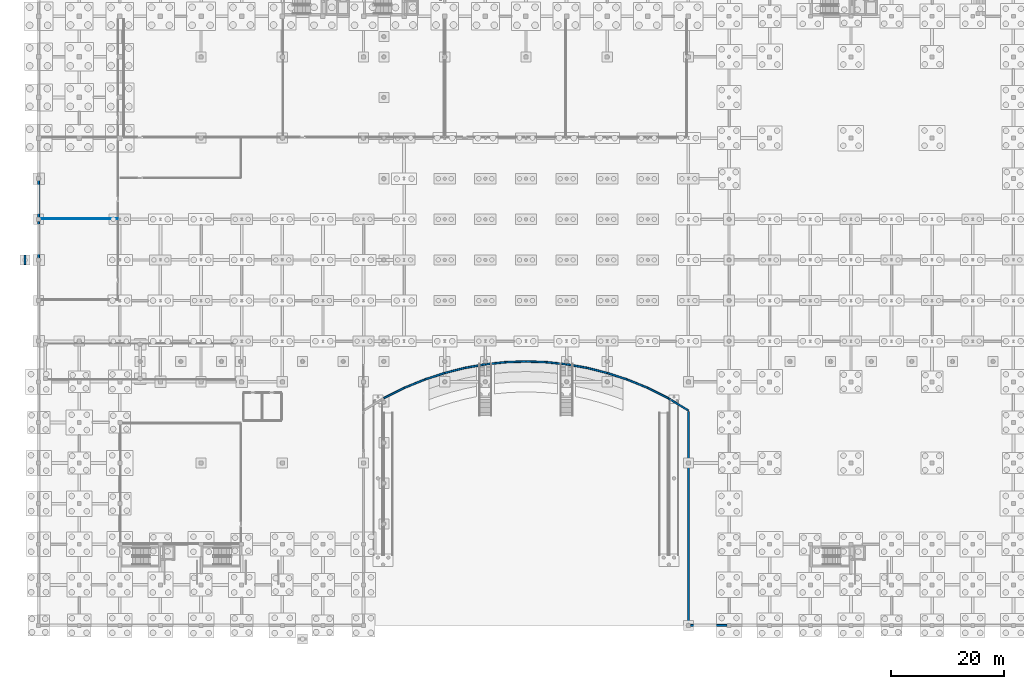
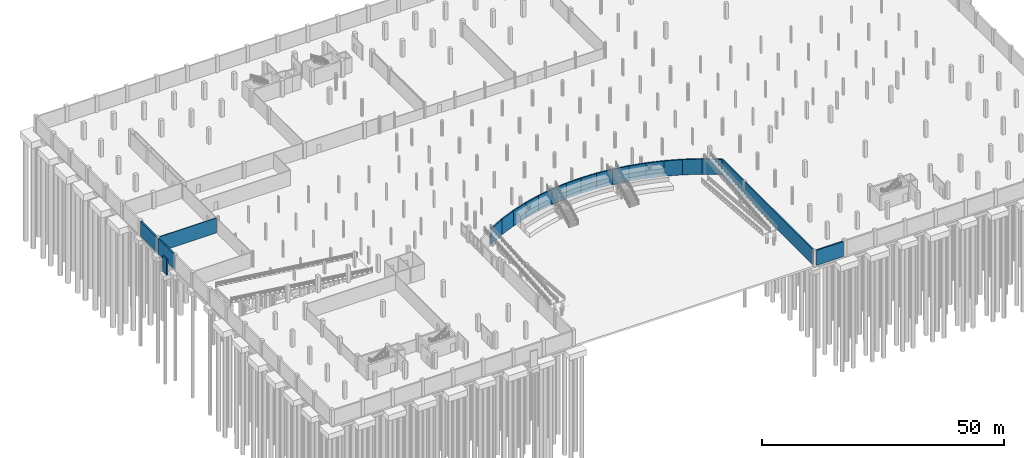
# One storey, part 41 of 56: 21 walls.
"""IFC4 building model written with IfcOpenShell, lengths in metres."""

import ifcopenshell
import ifcopenshell.guid

model = None  # the IFC model being written
_history = None  # IfcOwnerHistory: only IFC2X3 demands one
_inside = {}  # id of a spatial element -> (the spatial element, [elements in it])
_under = {}  # id of a project, library or spatial element -> (it, [spatial elements below it])
_declared = {}  # id of a project -> (the project, [libraries it declares])
_typed = {}  # id of a type object -> (the type object, [elements of that type])
_made_of = {}  # id of a material, layer set ... -> (it, [elements and type objects made of it])


def new_model(schema):
    """Start an empty IFC model of exactly this schema.

    Asked for "IFC4X3", IfcOpenShell would pick the latest addendum, in which some entities
    have other attributes; the version numbers below select the first issue.
    IFC2X3 requires an IfcOwnerHistory on every rooted entity: one is made here for all.
    """
    global model, _history
    if schema == "IFC4X3":
        model = ifcopenshell.file(schema_version=(4, 3, 0, 0))
    else:
        model = ifcopenshell.file(schema=schema)
    _inside.clear()
    _under.clear()
    _declared.clear()
    _typed.clear()
    _made_of.clear()
    _history = None
    if model.schema == "IFC2X3":
        org = make("IfcOrganization", Name="unknown")
        user = make(
            "IfcPersonAndOrganization",
            ThePerson=make("IfcPerson", FamilyName="unknown"),
            TheOrganization=org,
        )
        app = make(
            "IfcApplication",
            ApplicationDeveloper=org,
            Version="unknown",
            ApplicationFullName="unknown",
            ApplicationIdentifier="unknown",
        )
        _history = make(
            "IfcOwnerHistory",
            OwningUser=user,
            OwningApplication=app,
            ChangeAction="ADDED",
            CreationDate=0,
        )
    return model


def make(cls, **values):
    """One entity of the class cls with the attributes given. An attribute that is None is left unset."""
    return model.create_entity(
        cls, **{name: value for name, value in values.items() if value is not None}
    )


def rooted(cls, **values):
    """An entity with a GlobalId (a new one), such as an element, a storey or a relation."""
    return make(cls, GlobalId=ifcopenshell.guid.new(), OwnerHistory=_history, **values)


def si_unit(unit_type, name, prefix=None):
    """IfcSIUnit, for example si_unit("LENGTHUNIT", "METRE", prefix="MILLI")."""
    return make("IfcSIUnit", UnitType=unit_type, Prefix=prefix, Name=name)


def assignment(units):
    """IfcUnitAssignment: the units of a project."""
    return None if units is None else make("IfcUnitAssignment", Units=units)


def point(xyz):
    """IfcCartesianPoint."""
    return None if xyz is None else make("IfcCartesianPoint", Coordinates=xyz)


def direction(xyz):
    """IfcDirection."""
    return None if xyz is None else make("IfcDirection", DirectionRatios=xyz)


def frame(location, z_axis=None, x_axis=None):
    """IfcAxis2Placement3D, a coordinate frame: its origin and axes. An axis left out is left unset."""
    return make(
        "IfcAxis2Placement3D",
        Location=point(location),
        Axis=direction(z_axis),
        RefDirection=direction(x_axis),
    )


def frame_2d(location, x_axis=None):
    """IfcAxis2Placement2D, a coordinate frame in the plane: its origin and x axis."""
    return make(
        "IfcAxis2Placement2D", Location=point(location), RefDirection=direction(x_axis)
    )


def origin():
    """The frame at (0, 0, 0) with its axes left unset."""
    return frame((0.0, 0.0, 0.0))


def place(relative_to, where):
    """IfcLocalPlacement: puts the frame where relative to a parent placement (None: the world)."""
    return make(
        "IfcLocalPlacement", PlacementRelTo=relative_to, RelativePlacement=where
    )


def context(
    kind, dimensions, precision=None, world=None, true_north=None, identifier=None
):
    """IfcGeometricRepresentationContext, for example the 3D "Model" context."""
    return make(
        "IfcGeometricRepresentationContext",
        ContextIdentifier=identifier,
        ContextType=kind,
        CoordinateSpaceDimension=dimensions,
        Precision=precision,
        WorldCoordinateSystem=world,
        TrueNorth=true_north,
    )


def subcontext(parent, identifier, kind, view, scale=None):
    """IfcGeometricRepresentationSubContext, for example "Body" below "Model"."""
    return make(
        "IfcGeometricRepresentationSubContext",
        ContextIdentifier=identifier,
        ContextType=kind,
        ParentContext=parent,
        TargetScale=scale,
        TargetView=view,
    )


def project(units=None, contexts=None):
    """IfcProject with its units and contexts."""
    return rooted(
        "IfcProject",
        Name="project",
        RepresentationContexts=contexts,
        UnitsInContext=assignment(units),
    )


def spatial(cls, under=None, at=None, **own):
    """A site, building, storey or space (cls), placed at a placement, below another one or the project."""
    s = rooted(cls, ObjectPlacement=at, **own)
    if under is not None:
        _under.setdefault(under.id(), (under, []))[1].append(s)
    return s


def profile(cls, at=None, kind="AREA", **sizes):
    """A parametric profile (cls). Its sizes go by their IFC names, for example OverallWidth=200.0."""
    return make(cls, ProfileType=kind, Position=at, **sizes)


def rectangle(**sizes):
    """IfcRectangleProfileDef."""
    return profile("IfcRectangleProfileDef", **sizes)


def extrude(swept, where, along, depth):
    """IfcExtrudedAreaSolid: the profile swept, set in the frame where, extruded along a direction by depth."""
    return make(
        "IfcExtrudedAreaSolid",
        SweptArea=swept,
        Position=where,
        ExtrudedDirection=direction(along),
        Depth=depth,
    )


def shape(context_of_items, identifier, shape_type, items):
    """IfcShapeRepresentation: the items that make up one representation, for example the "Body"."""
    return make(
        "IfcShapeRepresentation",
        ContextOfItems=context_of_items,
        RepresentationIdentifier=identifier,
        RepresentationType=shape_type,
        Items=items,
    )


def material(Name=None, Category=None):
    """IfcMaterial."""
    return make("IfcMaterial", Name=Name, Category=Category)


def layer(
    of_material, thickness, ventilated=None, Name=None, Category=None, Priority=None
):
    """IfcMaterialLayer: one layer of a wall or slab, of a material (None: an air gap)."""
    return make(
        "IfcMaterialLayer",
        Material=of_material,
        LayerThickness=thickness,
        IsVentilated=ventilated,
        Name=Name,
        Category=Category,
        Priority=Priority,
    )


def layer_set(layers, Name=None):
    """IfcMaterialLayerSet."""
    return make("IfcMaterialLayerSet", MaterialLayers=layers, LayerSetName=Name)


def made_of(thing, what):
    """Note that an element or type object is made of a material, layer set ...; save() writes the relation."""
    if what is not None:
        _made_of.setdefault(what.id(), (what, []))[1].append(thing)
    return thing


def type_object(cls, material=None, **own):
    """A type object (cls), such as IfcWallType, which elements share."""
    return made_of(rooted(cls, **own), material)


def element(
    cls,
    number,
    at=None,
    inside=None,
    cuts=None,
    type_object=None,
    material=None,
    context=None,
    identifier="Body",
    shape_type=None,
    held_by="IfcProductDefinitionShape",
    body=None,
    shapes=None,
    **own,
):
    """One element of the class cls, such as IfcWall. Its Tag is "e" and its number.

    at: its placement. inside: the storey or other place that contains it. cuts: it is an
    opening in that element (IfcRelVoidsElement). A single representation is given by context,
    identifier, shape_type and body (its items); several are given by shapes. held_by: the class
    of the entity that holds the representations. save() writes the other relations.
    """
    e = rooted(cls, Tag="e%d" % number, ObjectPlacement=at, **own)
    if body is not None:
        shapes = [shape(context, identifier, shape_type, body)]
    if shapes is not None:
        e.Representation = make(held_by, Representations=shapes)
    if inside is not None:
        _inside.setdefault(inside.id(), (inside, []))[1].append(e)
    if cuts is not None:
        rooted(
            "IfcRelVoidsElement", RelatingBuildingElement=cuts, RelatedOpeningElement=e
        )
    if type_object is not None:
        _typed.setdefault(type_object.id(), (type_object, []))[1].append(e)
    return made_of(e, material)


def aggregate(whole, parts):
    """IfcRelAggregates: a whole, such as a stair, and the parts it consists of."""
    return rooted("IfcRelAggregates", RelatingObject=whole, RelatedObjects=parts)


def save(model, path):
    """Write the relations noted so far, then the file.

    IfcRelAggregates (storeys below a building ...), IfcRelContainedInSpatialStructure (elements
    in a storey), IfcRelDefinesByType, IfcRelAssociatesMaterial and IfcRelDeclares: one each for
    every whole, place, type object, material and project.
    """
    for whole, parts in _under.values():
        aggregate(whole, parts)
    for where, things in _inside.values():
        rooted(
            "IfcRelContainedInSpatialStructure",
            RelatedElements=things,
            RelatingStructure=where,
        )
    for kind, things in _typed.values():
        rooted("IfcRelDefinesByType", RelatedObjects=things, RelatingType=kind)
    for what, things in _made_of.values():
        rooted("IfcRelAssociatesMaterial", RelatedObjects=things, RelatingMaterial=what)
    for by, libraries in _declared.values():
        rooted("IfcRelDeclares", RelatingContext=by, RelatedDefinitions=libraries)
    model.write(path)


model = new_model("IFC4")

# Units and contexts
model_context = context("Model", 3, precision=1e-05, world=origin(), true_north=direction((0.0, 1.0)))
body_context = subcontext(model_context, "Body", "Model", "MODEL_VIEW")
ifc_project = project(units=[si_unit("LENGTHUNIT", "METRE"), si_unit("AREAUNIT", "SQUARE_METRE"), si_unit("VOLUMEUNIT", "CUBIC_METRE"), si_unit("PLANEANGLEUNIT", "RADIAN"), si_unit("MASSUNIT", "GRAM", prefix="KILO")], contexts=[model_context])

# Site, building, storey
site_placement = place(None, origin())
site = spatial("IfcSite", under=ifc_project, at=site_placement, CompositionType="ELEMENT")
building_placement = place(site_placement, origin())
building = spatial("IfcBuilding", under=site, at=building_placement, Name="Suanplinth Sawtooth Commons", CompositionType="ELEMENT")
storey_placement = place(building_placement, frame((0.0, 0.0, -4.199951171875)))
storey = spatial("IfcBuildingStorey", under=building, at=storey_placement, Name="B1", CompositionType="ELEMENT", Elevation=-4.199951171875)

# Walls
ifc_material_1 = material(Name="Precast concrete C40/50", Category="concrete")
ifc_layer_1 = layer(ifc_material_1, 0.159912109375, Name="Fire-rated corridor and lobby wall 160mm")
ifc_layer_set_1 = layer_set([ifc_layer_1], Name="Precast concrete C40/50")
wall_type_1 = type_object("IfcWallType", Name="W-FW01", PredefinedType="PARTITIONING", material=ifc_layer_set_1)
wall_1_placement = place(storey_placement, frame((0.39990234375, 72.1201171875, 0.0), z_axis=(0.0, 0.0, 1.0), x_axis=(1.0, 0.0, 0.0)))
element("IfcWall", 1, at=wall_1_placement, inside=storey, type_object=wall_type_1, Name="W-B1-REFU-S", PredefinedType="PARTITIONING", context=body_context, shape_type="SweptSolid", body=[
    extrude(rectangle(XDim=13.60009765625, YDim=0.159912109375, at=frame_2d((6.800048828125, 0.0))), origin(), (0.0, 0.0, 1.0), 3.7900390625),
])
ifc_material_2 = material(Name="Concrete C35/45", Category="concrete")
ifc_layer_2 = layer(ifc_material_2, 0.35009765625, Name="Basement perimeter RC retaining wall 350mm")
ifc_layer_set_2 = layer_set([ifc_layer_2], Name="Concrete C35/45")
wall_type_2 = type_object("IfcWallType", Name="W-RT01", PredefinedType="SOLIDWALL", material=ifc_layer_set_2)
for number, where, z_axis, x_axis, name in (
    (2, (115.550048828125, 0.0, 0.0), (0.0, 0.0, 1.0), (1.0, 0.0, 0.0), "Basement South Plinth Retaining Wall Bay 17"),
    (3, (0.0, 65.14990234375, 0.0), (0.0, 0.0, 1.0), (0.0, 1.0, 0.0), "Basement West Plinth Retaining Wall Bay 10"),
    (4, (0.0, 72.35009765625, 0.0), (0.0, 0.0, 1.0), (0.0, 1.0, 0.0), "Basement West Plinth Retaining Wall Bay 11"),
):
    element("IfcWall", number, at=place(storey_placement, frame(where, z_axis=z_axis, x_axis=x_axis)), inside=storey, type_object=wall_type_2, Name=name, PredefinedType="SOLIDWALL", context=body_context, shape_type="SweptSolid", body=[
        extrude(rectangle(XDim=6.5, YDim=0.35009765625, at=frame_2d((3.25, 0.0))), origin(), (0.0, 0.0, 1.0), 3.800048828125),
    ])
ifc_layer_3 = layer(ifc_material_2, 0.300048828125, Name="Sunken forecourt & plinth skirt RC wall 300mm")
ifc_layer_set_3 = layer_set([ifc_layer_3], Name="Concrete C35/45")
wall_type_3 = type_object("IfcWallType", Name="W-RT02", PredefinedType="SOLIDWALL", material=ifc_layer_set_3)
wall_2_placement = place(storey_placement, frame((115.199951171875, 0.419921875, 0.0), z_axis=(0.0, 0.0, 1.0), x_axis=(0.0, 1.0, 0.0)))
element("IfcWall", 5, at=wall_2_placement, inside=storey, type_object=wall_type_3, Name="Forecourt East Retaining Wall", PredefinedType="SOLIDWALL", context=body_context, shape_type="SweptSolid", body=[
    extrude(rectangle(XDim=37.47607421875, YDim=0.300048828125, at=frame_2d((18.738037109375, 0.0))), origin(), (0.0, 0.0, 1.0), 3.849853515625),
])
wall_3_placement = place(storey_placement, frame((61.199951171875, 40.285888671875, 0.0), z_axis=(0.0, 0.0, 1.0), x_axis=(0.892823042444, 0.450407609707, 0.0)))
element("IfcWall", 6, at=wall_3_placement, inside=storey, type_object=wall_type_3, Name="Forecourt Swept Retaining Arc 2", PredefinedType="SOLIDWALL", context=body_context, shape_type="SweptSolid", body=[
    extrude(rectangle(XDim=4.0322265625, YDim=0.300048828125, at=frame_2d((2.01611328125, 0.0))), origin(), (0.0, 0.0, 1.0), 3.849853515625),
])
wall_4_placement = place(storey_placement, frame((64.800048828125, 42.10205078125, 0.0), z_axis=(0.0, 0.0, 1.0), x_axis=(0.92462224545, 0.380885420065, 0.0)))
element("IfcWall", 7, at=wall_4_placement, inside=storey, type_object=wall_type_3, Name="Forecourt Swept Retaining Arc 3", PredefinedType="SOLIDWALL", context=body_context, shape_type="SweptSolid", body=[
    extrude(rectangle(XDim=3.893310546875, YDim=0.300048828125, at=frame_2d((1.94677734375, 0.0))), origin(), (0.0, 0.0, 1.0), 3.849853515625),
])
wall_5_placement = place(storey_placement, frame((68.39990234375, 43.5849609375, 0.0), z_axis=(0.0, 0.0, 1.0), x_axis=(0.950167603973, 0.311739513632, 0.0)))
element("IfcWall", 8, at=wall_5_placement, inside=storey, type_object=wall_type_3, Name="Forecourt Swept Retaining Arc 4", PredefinedType="SOLIDWALL", context=body_context, shape_type="SweptSolid", body=[
    extrude(rectangle(XDim=3.788818359375, YDim=0.300048828125, at=frame_2d((1.89453125, 0.0))), origin(), (0.0, 0.0, 1.0), 3.849853515625),
])
wall_6_placement = place(storey_placement, frame((72.0, 44.76611328125, 0.0), z_axis=(0.0, 0.0, 1.0), x_axis=(0.970150239738, 0.242504664565, 0.0)))
element("IfcWall", 9, at=wall_6_placement, inside=storey, type_object=wall_type_3, Name="Forecourt Swept Retaining Arc 5", PredefinedType="SOLIDWALL", context=body_context, shape_type="SweptSolid", body=[
    extrude(rectangle(XDim=3.7109375, YDim=0.300048828125, at=frame_2d((1.85546875, 0.0))), origin(), (0.0, 0.0, 1.0), 3.849853515625),
])
wall_7_placement = place(storey_placement, frame((75.60009765625, 45.666015625, 0.0), z_axis=(0.0, 0.0, 1.0), x_axis=(0.98488693809, 0.173198496471, 0.0)))
element("IfcWall", 10, at=wall_7_placement, inside=storey, type_object=wall_type_3, Name="Forecourt Swept Retaining Arc 6", PredefinedType="SOLIDWALL", context=body_context, shape_type="SweptSolid", body=[
    extrude(rectangle(XDim=3.655029296875, YDim=0.300048828125, at=frame_2d((1.82763671875, 0.0))), origin(), (0.0, 0.0, 1.0), 3.849853515625),
])
wall_8_placement = place(storey_placement, frame((79.199951171875, 46.299072265625, 0.0), z_axis=(0.0, 0.0, 1.0), x_axis=(0.994590861685, 0.103870197138, 0.0)))
element("IfcWall", 11, at=wall_8_placement, inside=storey, type_object=wall_type_3, Name="Forecourt Swept Retaining Arc 7", PredefinedType="SOLIDWALL", context=body_context, shape_type="SweptSolid", body=[
    extrude(rectangle(XDim=3.61962890625, YDim=0.300048828125, at=frame_2d((1.809814453125, 0.0))), origin(), (0.0, 0.0, 1.0), 3.849853515625),
])
wall_9_placement = place(storey_placement, frame((82.800048828125, 46.675048828125, 0.0), z_axis=(0.0, 0.0, 1.0), x_axis=(0.999397679205, 0.034702720363, 0.0)))
element("IfcWall", 12, at=wall_9_placement, inside=storey, type_object=wall_type_3, Name="Forecourt Swept Retaining Arc 8", PredefinedType="SOLIDWALL", context=body_context, shape_type="SweptSolid", body=[
    extrude(rectangle(XDim=3.60205078125, YDim=0.300048828125, at=frame_2d((1.801025390625, 0.0))), origin(), (0.0, 0.0, 1.0), 3.849853515625),
])
wall_10_placement = place(storey_placement, frame((86.39990234375, 46.800048828125, 0.0), z_axis=(0.0, 0.0, 1.0), x_axis=(0.999397760821, -0.034700369832, 0.0)))
element("IfcWall", 13, at=wall_10_placement, inside=storey, type_object=wall_type_3, Name="Forecourt Swept Retaining Arc 9", PredefinedType="SOLIDWALL", context=body_context, shape_type="SweptSolid", body=[
    extrude(rectangle(XDim=3.602294921875, YDim=0.300048828125, at=frame_2d((1.80126953125, 0.0))), origin(), (0.0, 0.0, 1.0), 3.849853515625),
])
wall_11_placement = place(storey_placement, frame((90.0, 46.675048828125, 0.0), z_axis=(0.0, 0.0, 1.0), x_axis=(0.994590861685, -0.103870197138, 0.0)))
element("IfcWall", 14, at=wall_11_placement, inside=storey, type_object=wall_type_3, Name="Forecourt Swept Retaining Arc 10", PredefinedType="SOLIDWALL", context=body_context, shape_type="SweptSolid", body=[
    extrude(rectangle(XDim=3.61962890625, YDim=0.300048828125, at=frame_2d((1.809814453125, 0.0))), origin(), (0.0, 0.0, 1.0), 3.849853515625),
])
wall_12_placement = place(storey_placement, frame((93.60009765625, 46.299072265625, 0.0), z_axis=(0.0, 0.0, 1.0), x_axis=(0.98488693809, -0.173198496471, 0.0)))
element("IfcWall", 15, at=wall_12_placement, inside=storey, type_object=wall_type_3, Name="Forecourt Swept Retaining Arc 11", PredefinedType="SOLIDWALL", context=body_context, shape_type="SweptSolid", body=[
    extrude(rectangle(XDim=3.655029296875, YDim=0.300048828125, at=frame_2d((1.82763671875, 0.0))), origin(), (0.0, 0.0, 1.0), 3.849853515625),
])
wall_13_placement = place(storey_placement, frame((97.199951171875, 45.666015625, 0.0), z_axis=(0.0, 0.0, 1.0), x_axis=(0.970150239738, -0.242504664565, 0.0)))
element("IfcWall", 16, at=wall_13_placement, inside=storey, type_object=wall_type_3, Name="Forecourt Swept Retaining Arc 12", PredefinedType="SOLIDWALL", context=body_context, shape_type="SweptSolid", body=[
    extrude(rectangle(XDim=3.7109375, YDim=0.300048828125, at=frame_2d((1.85546875, 0.0))), origin(), (0.0, 0.0, 1.0), 3.849853515625),
])
wall_14_placement = place(storey_placement, frame((100.800048828125, 44.76611328125, 0.0), z_axis=(0.0, 0.0, 1.0), x_axis=(0.950161341447, -0.311758600876, 0.0)))
element("IfcWall", 17, at=wall_14_placement, inside=storey, type_object=wall_type_3, Name="Forecourt Swept Retaining Arc 13", PredefinedType="SOLIDWALL", context=body_context, shape_type="SweptSolid", body=[
    extrude(rectangle(XDim=3.78857421875, YDim=0.300048828125, at=frame_2d((1.894287109375, 0.0))), origin(), (0.0, 0.0, 1.0), 3.849853515625),
])
wall_15_placement = place(storey_placement, frame((104.39990234375, 43.5849609375, 0.0), z_axis=(0.0, 0.0, 1.0), x_axis=(0.92463134187, -0.380863337211, 0.0)))
element("IfcWall", 18, at=wall_15_placement, inside=storey, type_object=wall_type_3, Name="Forecourt Swept Retaining Arc 14", PredefinedType="SOLIDWALL", context=body_context, shape_type="SweptSolid", body=[
    extrude(rectangle(XDim=3.8935546875, YDim=0.300048828125, at=frame_2d((1.94677734375, 0.0))), origin(), (0.0, 0.0, 1.0), 3.849853515625),
])
wall_16_placement = place(storey_placement, frame((108.0, 42.10205078125, 0.0), z_axis=(0.0, 0.0, 1.0), x_axis=(0.892823042444, -0.450407609707, 0.0)))
element("IfcWall", 19, at=wall_16_placement, inside=storey, type_object=wall_type_3, Name="Forecourt Swept Retaining Arc 15", PredefinedType="SOLIDWALL", context=body_context, shape_type="SweptSolid", body=[
    extrude(rectangle(XDim=4.0322265625, YDim=0.300048828125, at=frame_2d((2.01611328125, 0.0))), origin(), (0.0, 0.0, 1.0), 3.849853515625),
])
wall_17_placement = place(storey_placement, frame((111.60009765625, 40.285888671875, 0.0), z_axis=(0.0, 0.0, 1.0), x_axis=(0.854332789278, -0.519726356041, 0.0)))
element("IfcWall", 20, at=wall_17_placement, inside=storey, type_object=wall_type_3, Name="Forecourt Swept Retaining Arc 16", PredefinedType="SOLIDWALL", context=body_context, shape_type="SweptSolid", body=[
    extrude(rectangle(XDim=4.213623046875, YDim=0.300048828125, at=frame_2d((2.10693359375, 0.0))), origin(), (0.0, 0.0, 1.0), 3.849853515625),
])
wall_18_placement = place(storey_placement, frame((-2.39990234375, 63.949951171875, 0.0), z_axis=(0.0, 0.0, 1.0), x_axis=(0.0, 1.0, 0.0)))
element("IfcWall", 21, at=wall_18_placement, inside=storey, type_object=wall_type_3, Name="Threshold Ramp Toe Abutment Wall AR-03", PredefinedType="SOLIDWALL", context=body_context, shape_type="SweptSolid", body=[
    extrude(rectangle(XDim=1.699951171875, YDim=0.300048828125, at=frame_2d((0.85009765625, 0.0))), origin(), (0.0, 0.0, 1.0), 4.0),
])

save(model, "model.ifc")
